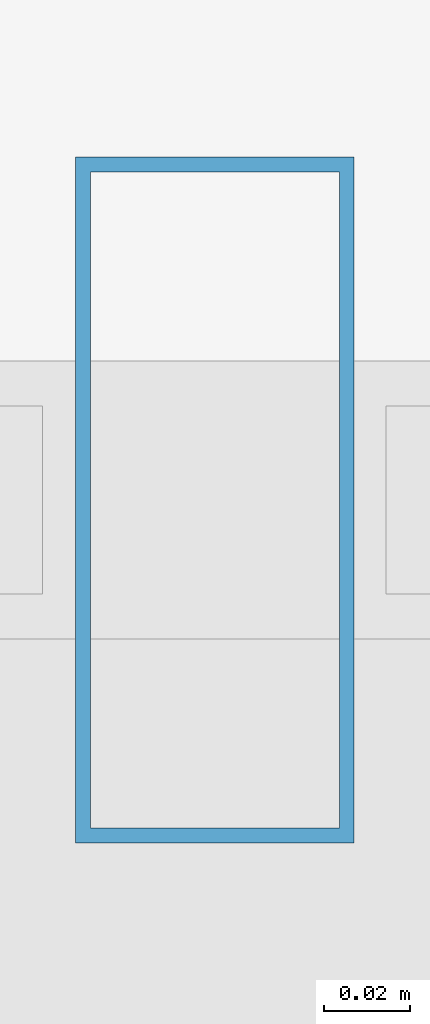
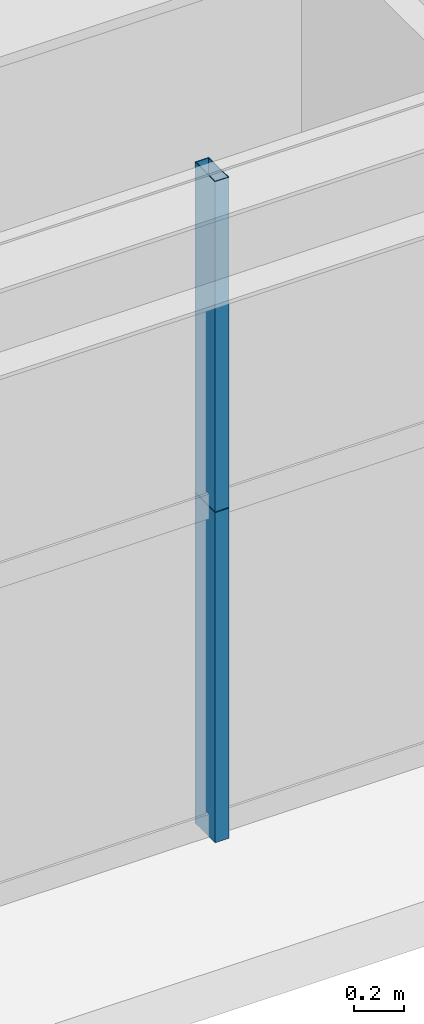
# One storey, part 6 of 39: 2 members, 1 element without a shape of its own.
"""IFC4 building model written with IfcOpenShell, lengths in metres."""

from ifc_helpers import new_model, si_unit, direction, frame, origin, origin_2d, place, context, subcontext, project, spatial, hollow_rectangle, extrude, source, transform, mapped, material, layer, layer_set, material_profile, profile_set, type_object, element, aggregate, save


model = new_model("IFC4")

# Units and contexts
model_context = context("Model", 3, precision=1e-05, world=origin(), true_north=direction((0.0, 1.0)))
body_context = subcontext(model_context, "Body", "Model", "MODEL_VIEW")
ifc_project = project(units=[si_unit("LENGTHUNIT", "METRE"), si_unit("AREAUNIT", "SQUARE_METRE"), si_unit("VOLUMEUNIT", "CUBIC_METRE"), si_unit("PLANEANGLEUNIT", "RADIAN"), si_unit("MASSUNIT", "GRAM", prefix="KILO"), si_unit("THERMODYNAMICTEMPERATUREUNIT", "KELVIN"), si_unit("POWERUNIT", "WATT")], contexts=[model_context])

# Site, building, storey
site_placement = place(None, origin())
site = spatial("IfcSite", under=ifc_project, at=site_placement, CompositionType="ELEMENT")
building_placement = place(site_placement, origin())
building = spatial("IfcBuilding", under=site, at=building_placement, Name="Yuzanri Waterfront Tower", CompositionType="ELEMENT")
storey_placement = place(building_placement, frame((0.0, 0.0, 216.0)))
storey = spatial("IfcBuildingStorey", under=building, at=storey_placement, Name="L57", CompositionType="ELEMENT", Elevation=216.0)

# Curtain wall, members
ifc_material_1 = material(Name="Anodized Architectural Bronze", Category="metal")
ifc_layer = layer(ifc_material_1, 0.159912109375)
ifc_layer_set = layer_set([ifc_layer], Name="Anodized Architectural Bronze")
curtain_wall_type = type_object("IfcCurtainWallType", Name="Anodized Bronze Mid-Rise Residential Acoustic Unitized Curtain Wall 7200", PredefinedType="NOTDEFINED", material=ifc_layer_set)
curtain_wall_placement = place(storey_placement, origin())
curtain_wall = element("IfcCurtainWall", 1, at=curtain_wall_placement, inside=storey, type_object=curtain_wall_type, Name="L57 Curtain Wall CW-L57-SL", PredefinedType="NOTDEFINED")
ifc_material_2 = material(Name="Anodized Architectural Bronze", Category="metal")
ifc_material_profile = material_profile(ifc_material_2, hollow_rectangle(XDim=0.06494140625, YDim=0.159912109375, WallThickness=0.00341796875, at=origin_2d()), Name="CWM 65x160")
ifc_profile_set = profile_set([ifc_material_profile], Name="Anodized Architectural Bronze")
member_type = type_object("IfcMemberType", Name="Anodized Bronze Upper-Zone Curtain-Wall Mullion 65x160", PredefinedType="MULLION", material=ifc_profile_set)
shared_shape = source(origin(), body_context, "Body", "SweptSolid", [
    extrude(hollow_rectangle(XDim=0.06494140625, YDim=0.159912109375, WallThickness=0.00341796875, at=origin_2d()), origin(), (0.0, 0.0, 1.0), 1.60791015625),
])
member_1_placement = place(storey_placement, frame((29.425048828125, 3.85009765625, 0.0), z_axis=(0.0, 0.0, 1.0), x_axis=(1.0, 0.0, 0.0)))
member_1 = element("IfcMember", 2, at=member_1_placement, type_object=member_type, Name="CW-L57-SL Lower Mullion 01", PredefinedType="MULLION", context=body_context, shape_type="MappedRepresentation", body=[
    mapped(shared_shape, transform((0.0, 0.0, 0.0), scale=1.0)),
])
member_2_placement = place(storey_placement, frame((29.425048828125, 3.85009765625, 1.612060546875), z_axis=(0.0, 0.0, 1.0), x_axis=(1.0, 0.0, 0.0)))
member_2 = element("IfcMember", 3, at=member_2_placement, type_object=member_type, Name="CW-L57-SL Upper Mullion 01", PredefinedType="MULLION", context=body_context, shape_type="MappedRepresentation", body=[
    mapped(shared_shape, transform((0.0, 0.0, 0.0), scale=1.0)),
])
aggregate(curtain_wall, [member_1, member_2])

save(model, "model.ifc")
